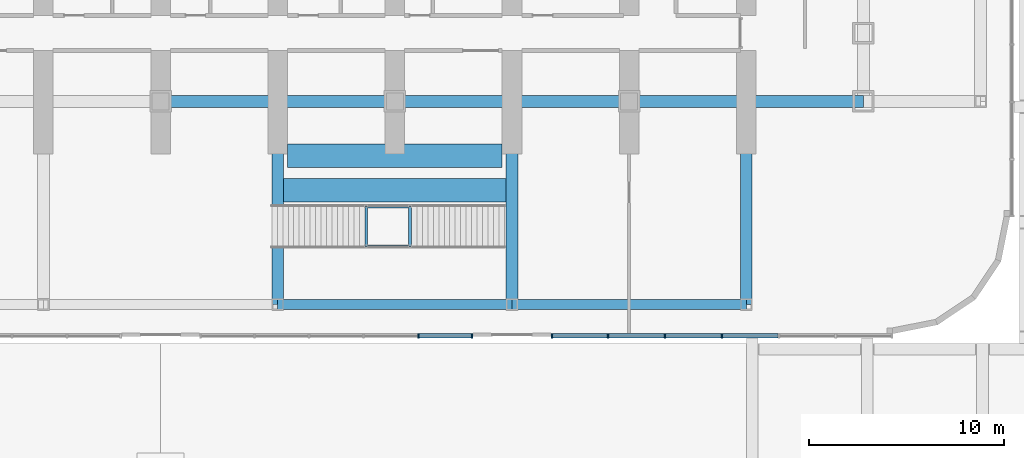
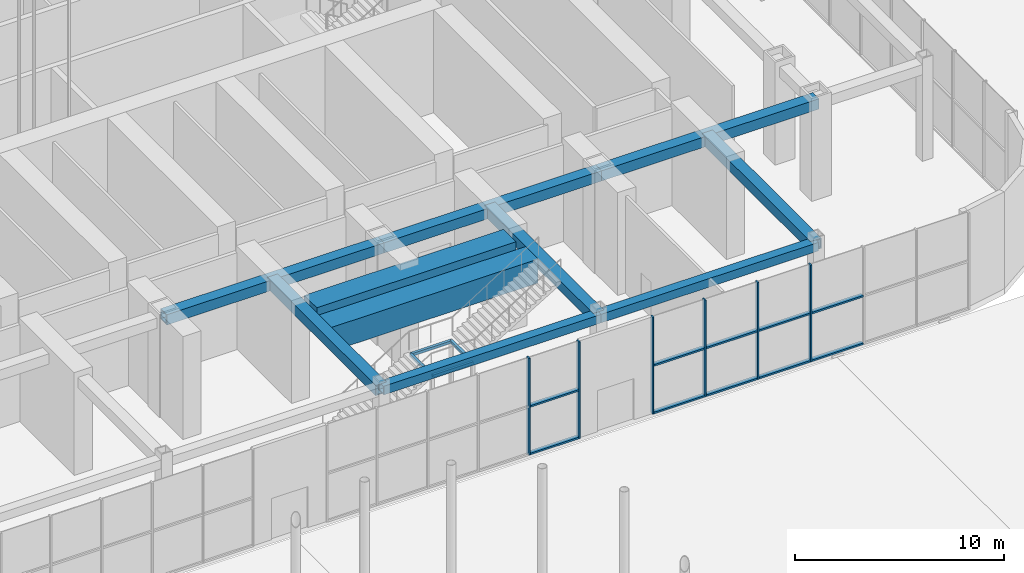
# One storey, part 9 of 57: 16 members, 14 beams, 2 elements without a shape of their own.
"""IFC4 building model written with IfcOpenShell, lengths in metres."""

from ifc_helpers import new_model, si_unit, direction, frame, origin, origin_2d, place, context, subcontext, project, spatial, rectangle, hollow_rectangle, extrude, material, material_profile, profile_set, type_object, element, aggregate, save


model = new_model("IFC4")

# Units and contexts
model_context = context("Model", 3, precision=1e-05, world=origin(), true_north=direction((0.0, 1.0)))
body_context = subcontext(model_context, "Body", "Model", "MODEL_VIEW")
ifc_project = project(units=[si_unit("LENGTHUNIT", "METRE"), si_unit("AREAUNIT", "SQUARE_METRE"), si_unit("VOLUMEUNIT", "CUBIC_METRE"), si_unit("PLANEANGLEUNIT", "RADIAN"), si_unit("MASSUNIT", "GRAM", prefix="KILO")], contexts=[model_context])

# Site, building, storey
site_placement = place(None, origin())
site = spatial("IfcSite", under=ifc_project, at=site_placement, CompositionType="ELEMENT")
building_placement = place(site_placement, origin())
building = spatial("IfcBuilding", under=site, at=building_placement, Name="Orbita Commons", CompositionType="ELEMENT")
storey_placement = place(building_placement, origin())
storey = spatial("IfcBuildingStorey", under=building, at=storey_placement, Name="L00", CompositionType="ELEMENT", Elevation=0.0)

# Curtain wall, members
ifc_material_1 = material(Name="Anodised aluminium frame, pale silver", Category="aluminium")
curtain_wall_type = type_object("IfcCurtainWallType", Name="Lobby curtain wall CW-L", PredefinedType="NOTDEFINED", material=ifc_material_1)
curtain_wall_1_placement = place(storey_placement, origin())
curtain_wall_1 = element("IfcCurtainWall", 1, at=curtain_wall_1_placement, inside=storey, type_object=curtain_wall_type, Name="Curtain wall S 3 L00", PredefinedType="NOTDEFINED")
ifc_material_2 = material(Name="Anodised aluminium, pale silver", Category="aluminium")
ifc_material_profile_1 = material_profile(ifc_material_2, rectangle(XDim=0.080078125, YDim=0.219970703125, at=origin_2d()), Name="AL 80x220")
ifc_profile_set_1 = profile_set([ifc_material_profile_1], Name="Anodised aluminium, pale silver")
member_type_1 = type_object("IfcMemberType", Name="Curtain wall mullion 80x220", PredefinedType="MULLION", material=ifc_profile_set_1)
member_1_placement = place(storey_placement, frame((55.199951171875, -1.610107421875, 0.0), z_axis=(0.0, 0.0, 1.0), x_axis=(1.0, 0.0, 0.0)))
member_1 = element("IfcMember", 2, at=member_1_placement, type_object=member_type_1, Name="Mullion 5 CW-L00-S2", PredefinedType="MULLION", context=body_context, shape_type="SweptSolid", body=[
    extrude(rectangle(XDim=0.080078125, YDim=0.219970703125, at=origin_2d()), origin(), (0.0, 0.0, 1.0), 5.64990234375),
])
member_2_placement = place(storey_placement, frame((57.9599609375, -1.610107421875, 0.0), z_axis=(0.0, 0.0, 1.0), x_axis=(1.0, 0.0, 0.0)))
member_2 = element("IfcMember", 3, at=member_2_placement, type_object=member_type_1, Name="Mullion 6 CW-L00-S2", PredefinedType="MULLION", context=body_context, shape_type="SweptSolid", body=[
    extrude(rectangle(XDim=0.080078125, YDim=0.219970703125, at=origin_2d()), origin(), (0.0, 0.0, 1.0), 5.64990234375),
])

curtain_wall_2_placement = place(storey_placement, origin())
curtain_wall_2 = element("IfcCurtainWall", 4, at=curtain_wall_2_placement, inside=storey, type_object=curtain_wall_type, Name="Curtain wall S 4 L00", PredefinedType="NOTDEFINED")
member_3_placement = place(storey_placement, frame((62.0400390625, -1.610107421875, 0.0), z_axis=(0.0, 0.0, 1.0), x_axis=(1.0, 0.0, 0.0)))
member_3 = element("IfcMember", 5, at=member_3_placement, type_object=member_type_1, Name="Mullion 1 CW-L00-S3", PredefinedType="MULLION", context=body_context, shape_type="SweptSolid", body=[
    extrude(rectangle(XDim=0.080078125, YDim=0.219970703125, at=origin_2d()), origin(), (0.0, 0.0, 1.0), 5.64990234375),
])
member_4_placement = place(storey_placement, frame((64.916748046875, -1.610107421875, 0.0), z_axis=(0.0, 0.0, 1.0), x_axis=(1.0, 0.0, 0.0)))
member_4 = element("IfcMember", 6, at=member_4_placement, type_object=member_type_1, Name="Mullion 2 CW-L00-S3", PredefinedType="MULLION", context=body_context, shape_type="SweptSolid", body=[
    extrude(rectangle(XDim=0.080078125, YDim=0.219970703125, at=origin_2d()), origin(), (0.0, 0.0, 1.0), 5.64990234375),
])
member_5_placement = place(storey_placement, frame((67.833251953125, -1.610107421875, 0.0), z_axis=(0.0, 0.0, 1.0), x_axis=(1.0, 0.0, 0.0)))
member_5 = element("IfcMember", 7, at=member_5_placement, type_object=member_type_1, Name="Mullion 3 CW-L00-S3", PredefinedType="MULLION", context=body_context, shape_type="SweptSolid", body=[
    extrude(rectangle(XDim=0.080078125, YDim=0.219970703125, at=origin_2d()), origin(), (0.0, 0.0, 1.0), 5.64990234375),
])
member_6_placement = place(storey_placement, frame((70.75, -1.610107421875, 0.0), z_axis=(0.0, 0.0, 1.0), x_axis=(1.0, 0.0, 0.0)))
member_6 = element("IfcMember", 8, at=member_6_placement, type_object=member_type_1, Name="Mullion 4 CW-L00-S3", PredefinedType="MULLION", context=body_context, shape_type="SweptSolid", body=[
    extrude(rectangle(XDim=0.080078125, YDim=0.219970703125, at=origin_2d()), origin(), (0.0, 0.0, 1.0), 5.64990234375),
])

# Member
ifc_material_3 = material(Name="Anodised aluminium, pale silver", Category="aluminium")
ifc_material_profile_2 = material_profile(ifc_material_3, rectangle(XDim=0.219970703125, YDim=0.10009765625, at=origin_2d()), Name="AL 220x100")
ifc_profile_set_2 = profile_set([ifc_material_profile_2], Name="Anodised aluminium, pale silver")
member_type_2 = type_object("IfcMemberType", Name="Curtain wall stack transom 220x100", PredefinedType="USERDEFINED", material=ifc_profile_set_2)
member_7_placement = place(storey_placement, frame((55.239990234375, -1.610107421875, 0.050048828125), z_axis=(1.0, 0.0, 0.0), x_axis=(0.0, 1.0, 0.0)))
member_7 = element("IfcMember", 9, at=member_7_placement, type_object=member_type_2, Name="Transom 5.1 CW-L00-S2", ObjectType="TRANSOM", PredefinedType="USERDEFINED", context=body_context, shape_type="SweptSolid", body=[
    extrude(rectangle(XDim=0.219970703125, YDim=0.10009765625, at=origin_2d()), origin(), (0.0, 0.0, 1.0), 2.679931640625),
])

member_8_placement = place(storey_placement, frame((55.239990234375, -1.610107421875, 2.824951171875), z_axis=(1.0, 0.0, 0.0), x_axis=(0.0, 1.0, 0.0)))
member_8 = element("IfcMember", 10, at=member_8_placement, type_object=member_type_2, Name="Transom 5.2 CW-L00-S2", ObjectType="TRANSOM", PredefinedType="USERDEFINED", context=body_context, shape_type="SweptSolid", body=[
    extrude(rectangle(XDim=0.219970703125, YDim=0.10009765625, at=origin_2d()), origin(), (0.0, 0.0, 1.0), 2.679931640625),
])

aggregate(curtain_wall_1, [member_1, member_2, member_7, member_8])

member_9_placement = place(storey_placement, frame((62.080078125, -1.610107421875, 0.050048828125), z_axis=(1.0, 0.0, 0.0), x_axis=(0.0, 1.0, 0.0)))
member_9 = element("IfcMember", 11, at=member_9_placement, type_object=member_type_2, Name="Transom 1.1 CW-L00-S3", ObjectType="TRANSOM", PredefinedType="USERDEFINED", context=body_context, shape_type="SweptSolid", body=[
    extrude(rectangle(XDim=0.219970703125, YDim=0.10009765625, at=origin_2d()), origin(), (0.0, 0.0, 1.0), 2.796630859375),
])

member_10_placement = place(storey_placement, frame((62.080078125, -1.610107421875, 2.824951171875), z_axis=(1.0, 0.0, 0.0), x_axis=(0.0, 1.0, 0.0)))
member_10 = element("IfcMember", 12, at=member_10_placement, type_object=member_type_2, Name="Transom 1.2 CW-L00-S3", ObjectType="TRANSOM", PredefinedType="USERDEFINED", context=body_context, shape_type="SweptSolid", body=[
    extrude(rectangle(XDim=0.219970703125, YDim=0.10009765625, at=origin_2d()), origin(), (0.0, 0.0, 1.0), 2.796630859375),
])

member_11_placement = place(storey_placement, frame((64.956787109375, -1.610107421875, 0.050048828125), z_axis=(1.0, 0.0, 0.0), x_axis=(0.0, 1.0, 0.0)))
member_11 = element("IfcMember", 13, at=member_11_placement, type_object=member_type_2, Name="Transom 2.1 CW-L00-S3", ObjectType="TRANSOM", PredefinedType="USERDEFINED", context=body_context, shape_type="SweptSolid", body=[
    extrude(rectangle(XDim=0.219970703125, YDim=0.10009765625, at=origin_2d()), origin(), (0.0, 0.0, 1.0), 2.83642578125),
])

member_12_placement = place(storey_placement, frame((64.956787109375, -1.610107421875, 2.824951171875), z_axis=(1.0, 0.0, 0.0), x_axis=(0.0, 1.0, 0.0)))
member_12 = element("IfcMember", 14, at=member_12_placement, type_object=member_type_2, Name="Transom 2.2 CW-L00-S3", ObjectType="TRANSOM", PredefinedType="USERDEFINED", context=body_context, shape_type="SweptSolid", body=[
    extrude(rectangle(XDim=0.219970703125, YDim=0.10009765625, at=origin_2d()), origin(), (0.0, 0.0, 1.0), 2.83642578125),
])

member_13_placement = place(storey_placement, frame((67.873291015625, -1.610107421875, 0.050048828125), z_axis=(1.0, 0.0, 0.0), x_axis=(0.0, 1.0, 0.0)))
member_13 = element("IfcMember", 15, at=member_13_placement, type_object=member_type_2, Name="Transom 3.1 CW-L00-S3", ObjectType="TRANSOM", PredefinedType="USERDEFINED", context=body_context, shape_type="SweptSolid", body=[
    extrude(rectangle(XDim=0.219970703125, YDim=0.10009765625, at=origin_2d()), origin(), (0.0, 0.0, 1.0), 2.836669921875),
])

member_14_placement = place(storey_placement, frame((67.873291015625, -1.610107421875, 2.824951171875), z_axis=(1.0, 0.0, 0.0), x_axis=(0.0, 1.0, 0.0)))
member_14 = element("IfcMember", 16, at=member_14_placement, type_object=member_type_2, Name="Transom 3.2 CW-L00-S3", ObjectType="TRANSOM", PredefinedType="USERDEFINED", context=body_context, shape_type="SweptSolid", body=[
    extrude(rectangle(XDim=0.219970703125, YDim=0.10009765625, at=origin_2d()), origin(), (0.0, 0.0, 1.0), 2.836669921875),
])

member_15_placement = place(storey_placement, frame((70.7900390625, -1.610107421875, 0.050048828125), z_axis=(1.0, 0.0, 0.0), x_axis=(0.0, 1.0, 0.0)))
member_15 = element("IfcMember", 17, at=member_15_placement, type_object=member_type_2, Name="Transom 4.1 CW-L00-S3", ObjectType="TRANSOM", PredefinedType="USERDEFINED", context=body_context, shape_type="SweptSolid", body=[
    extrude(rectangle(XDim=0.219970703125, YDim=0.10009765625, at=origin_2d()), origin(), (0.0, 0.0, 1.0), 2.836669921875),
])

member_16_placement = place(storey_placement, frame((70.7900390625, -1.610107421875, 2.824951171875), z_axis=(1.0, 0.0, 0.0), x_axis=(0.0, 1.0, 0.0)))
member_16 = element("IfcMember", 18, at=member_16_placement, type_object=member_type_2, Name="Transom 4.2 CW-L00-S3", ObjectType="TRANSOM", PredefinedType="USERDEFINED", context=body_context, shape_type="SweptSolid", body=[
    extrude(rectangle(XDim=0.219970703125, YDim=0.10009765625, at=origin_2d()), origin(), (0.0, 0.0, 1.0), 2.836669921875),
])

aggregate(curtain_wall_2, [member_3, member_4, member_5, member_6, member_9, member_10, member_11, member_12, member_13, member_14, member_15, member_16])

# Beams
ifc_material_4 = material(Name="Steel ASTM A992", Category="steel")
ifc_material_profile_3 = material_profile(ifc_material_4, hollow_rectangle(XDim=0.14990234375, YDim=0.14990234375, WallThickness=0.008056640625, at=origin_2d()), Name="SHS 150x150x8")
ifc_profile_set_3 = profile_set([ifc_material_profile_3], Name="Steel ASTM A992")
beam_type_1 = type_object("IfcBeamType", Name="Landing frame beam SHS 150x150x8", PredefinedType="BEAM", material=ifc_profile_set_3)
for number, where, z_axis, x_axis, name in (
    (19, (52.534912109375, 2.97509765625, 2.72509765625), (0.0, 1.0, 0.0), (-1.0, 0.0, 0.0), "Grand stair L00 to L01 landing frame beam 1"),
    (20, (54.77490234375, 2.97509765625, 2.72509765625), (0.0, 1.0, 0.0), (-1.0, 0.0, 0.0), "Grand stair L00 to L01 landing frame beam 2"),
):
    element("IfcBeam", number, at=place(storey_placement, frame(where, z_axis=z_axis, x_axis=x_axis)), inside=storey, type_object=beam_type_1, Name=name, PredefinedType="BEAM", context=body_context, shape_type="SweptSolid", body=[
        extrude(hollow_rectangle(XDim=0.14990234375, YDim=0.14990234375, WallThickness=0.008056640625, at=origin_2d()), origin(), (0.0, 0.0, 1.0), 2.0498046875),
    ])
for number, where, z_axis, x_axis, name in (
    (21, (52.534912109375, 2.97509765625, 2.72509765625), (1.0, 0.0, 0.0), (0.0, 1.0, 0.0), "Grand stair L00 to L01 landing frame beam 3"),
    (22, (52.534912109375, 5.02490234375, 2.72509765625), (1.0, 0.0, 0.0), (0.0, 1.0, 0.0), "Grand stair L00 to L01 landing frame beam 4"),
):
    element("IfcBeam", number, at=place(storey_placement, frame(where, z_axis=z_axis, x_axis=x_axis)), inside=storey, type_object=beam_type_1, Name=name, PredefinedType="BEAM", context=body_context, shape_type="SweptSolid", body=[
        extrude(hollow_rectangle(XDim=0.14990234375, YDim=0.14990234375, WallThickness=0.008056640625, at=origin_2d()), origin(), (0.0, 0.0, 1.0), 2.239990234375),
    ])
ifc_material_5 = material(Name="Concrete C40/50", Category="concrete")
ifc_material_profile_4 = material_profile(ifc_material_5, rectangle(XDim=1.199951171875, YDim=1.39990234375, at=origin_2d()), Name="RC 1200x1400")
ifc_profile_set_4 = profile_set([ifc_material_profile_4], Name="Concrete C40/50")
beam_type_2 = type_object("IfcBeamType", Name="Stair transfer beam RC 1200x1400", PredefinedType="BEAM", material=ifc_profile_set_4)
beam_1_placement = place(storey_placement, frame((48.300048828125, 5.85009765625, 4.949951171875), z_axis=(1.0, 0.0, 0.0), x_axis=(0.0, 1.0, 0.0)))
element("IfcBeam", 23, at=beam_1_placement, inside=storey, type_object=beam_type_2, Name="Grand stair L01 to L02 transfer beam 1", PredefinedType="BEAM", context=body_context, shape_type="SweptSolid", body=[
    extrude(rectangle(XDim=1.199951171875, YDim=1.39990234375, at=origin_2d()), origin(), (0.0, 0.0, 1.0), 11.39990234375),
])
beam_2_placement = place(storey_placement, frame((48.5, 7.625, 4.949951171875), z_axis=(1.0, 0.0, 0.0), x_axis=(0.0, 1.0, 0.0)))
element("IfcBeam", 24, at=beam_2_placement, inside=storey, type_object=beam_type_2, Name="Grand stair L01 to L02 transfer beam 2", PredefinedType="BEAM", context=body_context, shape_type="SweptSolid", body=[
    extrude(rectangle(XDim=1.199951171875, YDim=1.39990234375, at=origin_2d()), origin(), (0.0, 0.0, 1.0), 11.0),
])
ifc_material_6 = material(Name="Steel ASTM A572 Gr 50 welded plate", Category="steel")
ifc_material_profile_5 = material_profile(ifc_material_6, hollow_rectangle(XDim=0.5, YDim=0.5, WallThickness=0.050048828125, at=origin_2d()), Name="BOX 500x500x50")
ifc_profile_set_5 = profile_set([ifc_material_profile_5], Name="Steel ASTM A572 Gr 50 welded plate")
beam_type_3 = type_object("IfcBeamType", Name="Steel edge beam BOX 500x500x50", PredefinedType="SPANDREL", material=ifc_profile_set_5)
for number, where, z_axis, x_axis, name in (
    (25, (48.0, 0.0, 5.39990234375), (1.0, 0.0, 0.0), (0.0, 1.0, 0.0), "Edge beam A 9-11 L00"),
    (26, (60.0, 0.0, 5.39990234375), (1.0, 0.0, 0.0), (0.0, 1.0, 0.0), "Edge beam A 11-13 L00"),
):
    element("IfcBeam", number, at=place(storey_placement, frame(where, z_axis=z_axis, x_axis=x_axis)), inside=storey, type_object=beam_type_3, Name=name, PredefinedType="SPANDREL", context=body_context, shape_type="SweptSolid", body=[
        extrude(hollow_rectangle(XDim=0.5, YDim=0.5, WallThickness=0.050048828125, at=origin_2d()), origin(), (0.0, 0.0, 1.0), 12.0),
    ])
ifc_material_7 = material(Name="Steel ASTM A572 Gr 50 welded plate", Category="steel")
ifc_material_profile_6 = material_profile(ifc_material_7, hollow_rectangle(XDim=0.60009765625, YDim=0.60009765625, WallThickness=0.06005859375, at=origin_2d()), Name="BOX 600x600x60")
ifc_profile_set_6 = profile_set([ifc_material_profile_6], Name="Steel ASTM A572 Gr 50 welded plate")
beam_type_4 = type_object("IfcBeamType", Name="Steel podium beam BOX 600x600x60", PredefinedType="BEAM", material=ifc_profile_set_6)
for number, where, z_axis, x_axis, name in (
    (27, (42.0, 10.39990234375, 5.35009765625), (1.0, 0.0, 0.0), (0.0, 1.0, 0.0), "Podium beam B 8-10 L00"),
    (28, (54.0, 10.39990234375, 5.35009765625), (1.0, 0.0, 0.0), (0.0, 1.0, 0.0), "Podium beam B 10-12 L00"),
    (29, (66.0, 10.39990234375, 5.35009765625), (1.0, 0.0, 0.0), (0.0, 1.0, 0.0), "Podium beam B 12-14 L00"),
):
    element("IfcBeam", number, at=place(storey_placement, frame(where, z_axis=z_axis, x_axis=x_axis)), inside=storey, type_object=beam_type_4, Name=name, PredefinedType="BEAM", context=body_context, shape_type="SweptSolid", body=[
        extrude(hollow_rectangle(XDim=0.60009765625, YDim=0.60009765625, WallThickness=0.06005859375, at=origin_2d()), origin(), (0.0, 0.0, 1.0), 12.0),
    ])
for number, where, z_axis, x_axis, name in (
    (30, (48.0, 0.0, 5.35009765625), (0.0, 1.0, 0.0), (-1.0, 0.0, 0.0), "Podium beam 9 A-B L00"),
    (31, (60.0, 0.0, 5.35009765625), (0.0, 1.0, 0.0), (-1.0, 0.0, 0.0), "Podium beam 11 A-B L00"),
    (32, (72.0, 0.0, 5.35009765625), (0.0, 1.0, 0.0), (-1.0, 0.0, 0.0), "Podium beam 13 A-B L00"),
):
    element("IfcBeam", number, at=place(storey_placement, frame(where, z_axis=z_axis, x_axis=x_axis)), inside=storey, type_object=beam_type_4, Name=name, PredefinedType="BEAM", context=body_context, shape_type="SweptSolid", body=[
        extrude(hollow_rectangle(XDim=0.60009765625, YDim=0.60009765625, WallThickness=0.06005859375, at=origin_2d()), origin(), (0.0, 0.0, 1.0), 10.39990234375),
    ])

save(model, "model.ifc")
